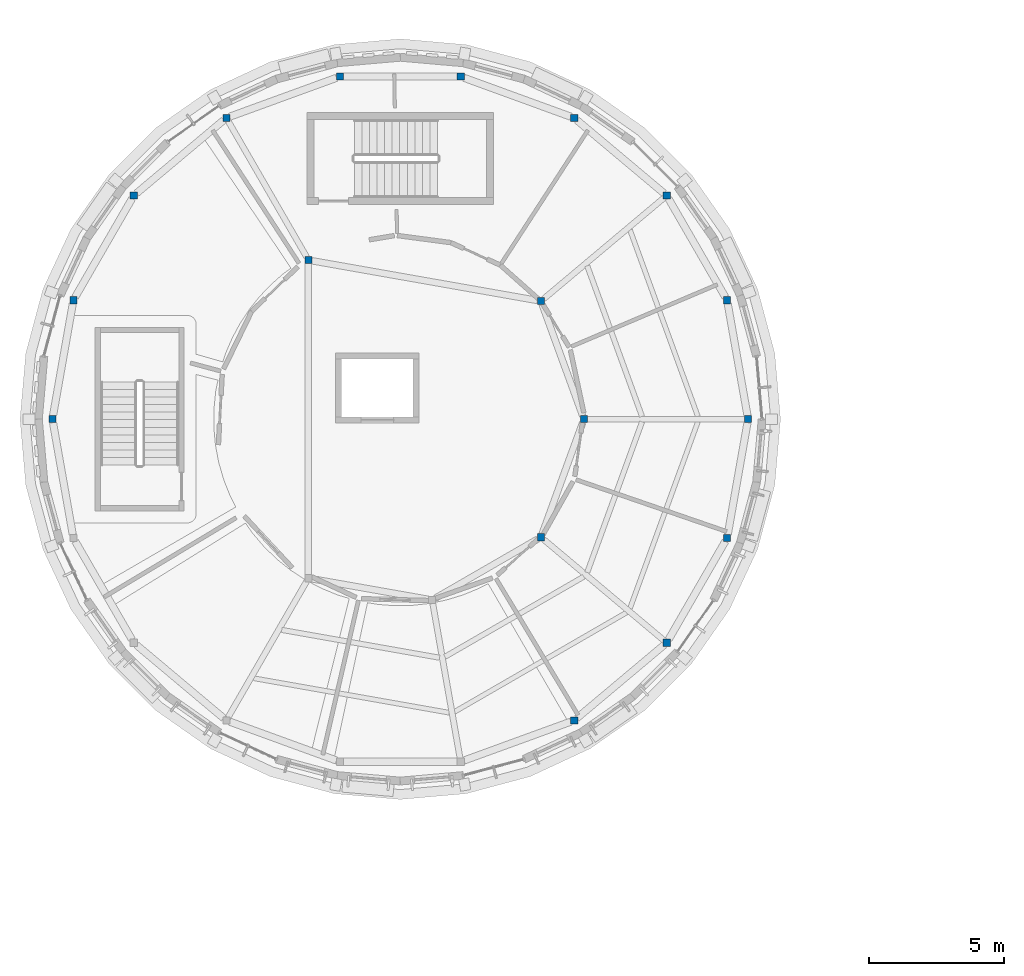
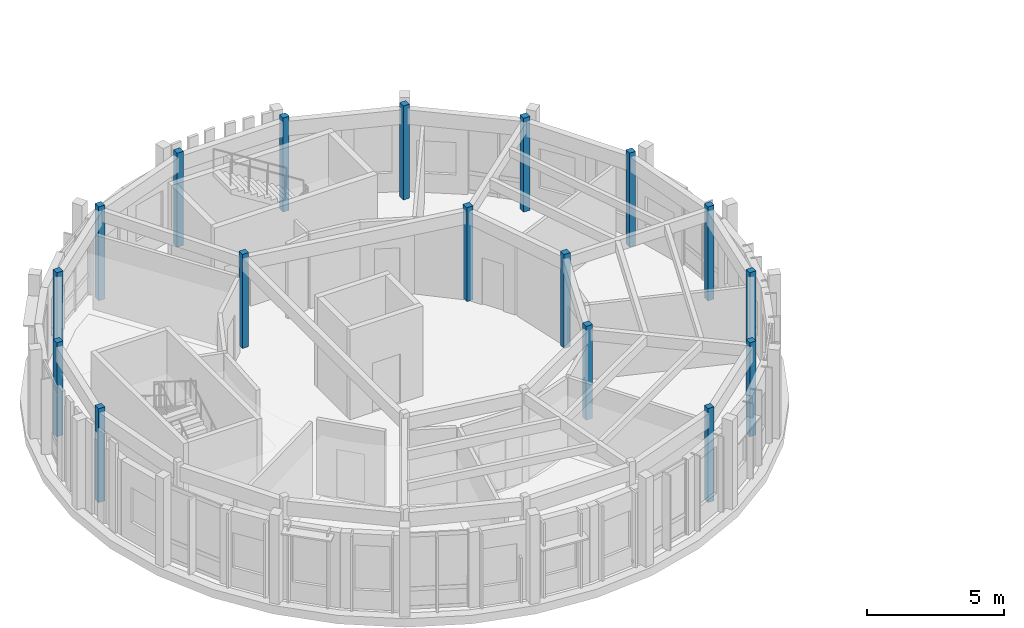
# One storey, part 2 of 30: 17 columns.
"""IFC4 building model written with IfcOpenShell, lengths in metres."""

from ifc_helpers import new_model, si_unit, direction, frame, origin, origin_2d, place, context, subcontext, project, spatial, rectangle, extrude, material, material_profile, profile_set, type_object, element, save


model = new_model("IFC4")

# Units and contexts
model_context = context("Model", 3, precision=1e-05, world=origin(), true_north=direction((0.0, 1.0)))
body_context = subcontext(model_context, "Body", "Model", "MODEL_VIEW")
ifc_project = project(units=[si_unit("LENGTHUNIT", "METRE"), si_unit("AREAUNIT", "SQUARE_METRE"), si_unit("VOLUMEUNIT", "CUBIC_METRE"), si_unit("PLANEANGLEUNIT", "RADIAN"), si_unit("MASSUNIT", "GRAM", prefix="KILO")], contexts=[model_context])

# Site, building, storey
site_placement = place(None, origin())
site = spatial("IfcSite", under=ifc_project, at=site_placement, CompositionType="ELEMENT")
building_placement = place(site_placement, origin())
building = spatial("IfcBuilding", under=site, at=building_placement, Name="Aldenvaro Health Centre", CompositionType="ELEMENT")
storey_placement = place(building_placement, frame((0.0, 0.0, 17.14990234375)))
storey = spatial("IfcBuildingStorey", under=building, at=storey_placement, Name="L04", CompositionType="ELEMENT", Elevation=17.14990234375)

# Columns
ifc_material = material(Name="Glulam GL28h", Category="wood")
ifc_material_profile_1 = material_profile(ifc_material, rectangle(XDim=0.264892578125, YDim=0.264892578125, at=origin_2d()), Name="GL 265x265", Category="wood")
ifc_profile_set_1 = profile_set([ifc_material_profile_1], Name="Glulam GL28h")
column_type_1 = type_object("IfcColumnType", Name="COL-GL-265", PredefinedType="COLUMN", material=ifc_profile_set_1)
for number, where, z_axis, x_axis, name in (
    (1, (25.300048828125, 99.5, 0.0), (0.0, 0.0, 1.0), (1.0, 0.0, 0.0), "D4 L04 column IN-01"),
    (2, (23.708984375, 103.87109375, 0.0), (0.0, 0.0, 1.0), (1.0, 0.0, 0.0), "D4 L04 column IN-02"),
    (3, (15.10009765625, 105.388916015625, 0.0), (0.0, 0.0, 1.0), (1.0, 0.0, 0.0), "D4 L04 column IN-03"),
    (4, (23.708984375, 95.12890625, 0.0), (0.0, 0.0, 1.0), (1.0, 0.0, 0.0), "D4 L04 column IN-06"),
):
    element("IfcColumn", number, at=place(storey_placement, frame(where, z_axis=z_axis, x_axis=x_axis)), inside=storey, type_object=column_type_1, Name=name, PredefinedType="COLUMN", context=body_context, shape_type="SweptSolid", body=[
        extrude(rectangle(XDim=0.264892578125, YDim=0.264892578125, at=origin_2d()), origin(), (0.0, 0.0, 1.0), 4.2001953125),
    ])
ifc_material_profile_2 = material_profile(ifc_material, rectangle(XDim=0.264892578125, YDim=0.264892578125, at=origin_2d()), Name="GL 265x265", Category="wood")
ifc_profile_set_2 = profile_set([ifc_material_profile_2], Name="Glulam GL28h")
column_type_2 = type_object("IfcColumnType", Name="COL-GL-265E", PredefinedType="COLUMN", material=ifc_profile_set_2)
for number, where, z_axis, x_axis, name in (
    (5, (31.3798828125, 99.5, 0.0), (0.0, 0.0, 1.0), (1.0, 0.0, 0.0), "D4 L04 column OUT-01"),
    (6, (30.60302734375, 103.905029296875, 0.0), (0.0, 0.0, 1.0), (1.0, 0.0, 0.0), "D4 L04 column OUT-02"),
    (7, (28.366943359375, 107.779052734375, 0.0), (0.0, 0.0, 1.0), (1.0, 0.0, 0.0), "D4 L04 column OUT-03"),
    (8, (24.93994140625, 110.654052734375, 0.0), (0.0, 0.0, 1.0), (1.0, 0.0, 0.0), "D4 L04 column OUT-04"),
    (9, (20.737060546875, 112.18408203125, 0.0), (0.0, 0.0, 1.0), (1.0, 0.0, 0.0), "D4 L04 column OUT-05"),
    (10, (16.262939453125, 112.18408203125, 0.0), (0.0, 0.0, 1.0), (1.0, 0.0, 0.0), "D4 L04 column OUT-06"),
    (11, (12.06005859375, 110.654052734375, 0.0), (0.0, 0.0, 1.0), (1.0, 0.0, 0.0), "D4 L04 column OUT-07"),
    (12, (8.633056640625, 107.779052734375, 0.0), (0.0, 0.0, 1.0), (1.0, 0.0, 0.0), "D4 L04 column OUT-08"),
    (13, (6.39697265625, 103.905029296875, 0.0), (0.0, 0.0, 1.0), (1.0, 0.0, 0.0), "D4 L04 column OUT-09"),
    (14, (5.6201171875, 99.5, 0.0), (0.0, 0.0, 1.0), (1.0, 0.0, 0.0), "D4 L04 column OUT-10"),
    (15, (24.93994140625, 88.345947265625, 0.0), (0.0, 0.0, 1.0), (1.0, 0.0, 0.0), "D4 L04 column OUT-16"),
    (16, (28.366943359375, 91.220947265625, 0.0), (0.0, 0.0, 1.0), (1.0, 0.0, 0.0), "D4 L04 column OUT-17"),
    (17, (30.60302734375, 95.094970703125, 0.0), (0.0, 0.0, 1.0), (1.0, 0.0, 0.0), "D4 L04 column OUT-18"),
):
    element("IfcColumn", number, at=place(storey_placement, frame(where, z_axis=z_axis, x_axis=x_axis)), inside=storey, type_object=column_type_2, Name=name, PredefinedType="COLUMN", context=body_context, shape_type="SweptSolid", body=[
        extrude(rectangle(XDim=0.264892578125, YDim=0.264892578125, at=origin_2d()), origin(), (0.0, 0.0, 1.0), 4.2001953125),
    ])

save(model, "model.ifc")
